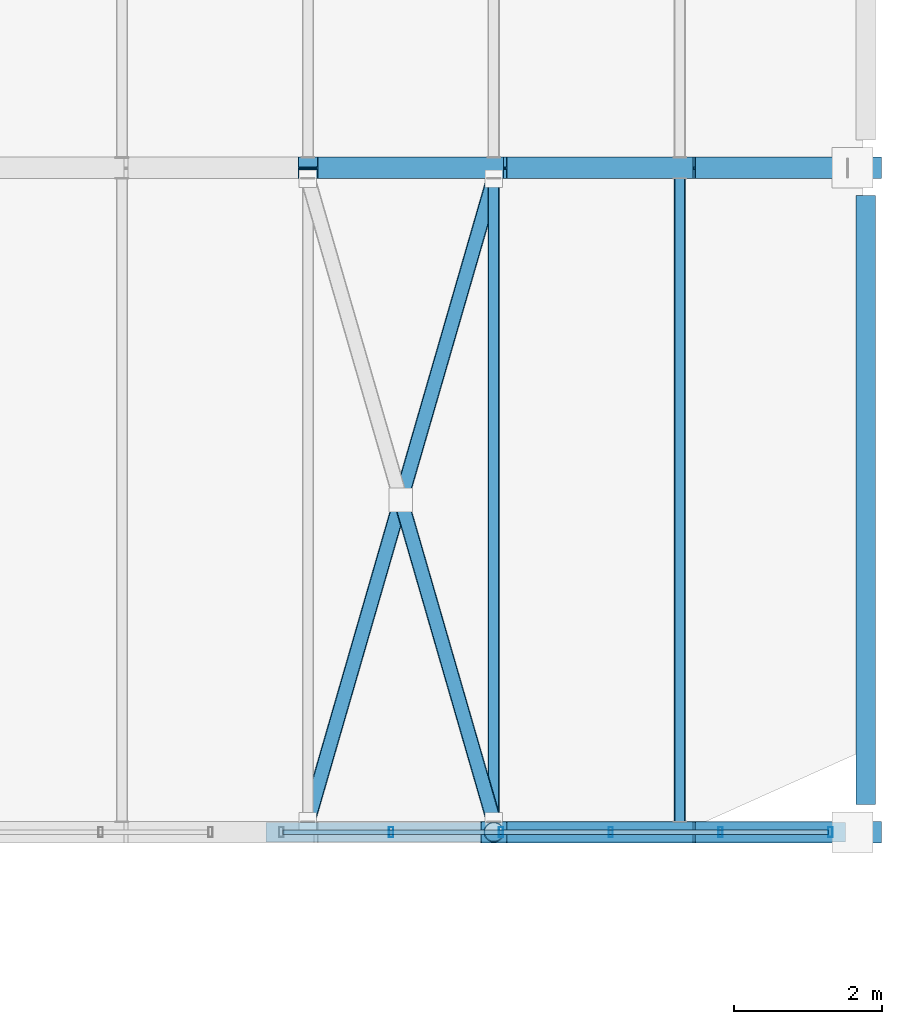
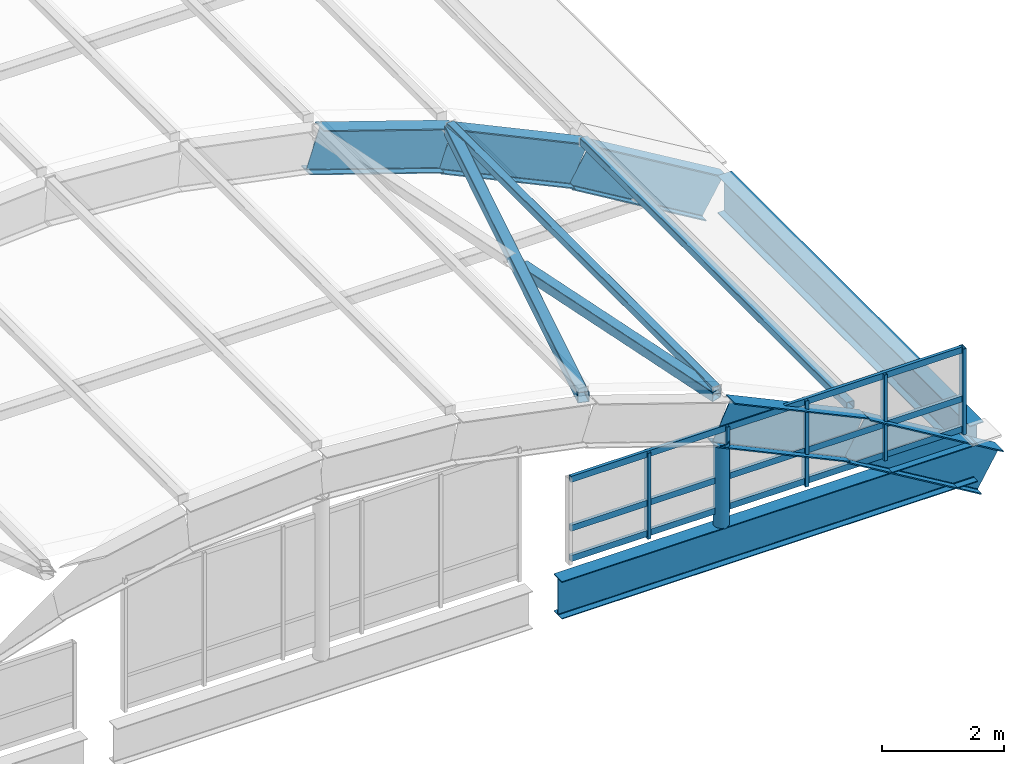
# One storey, part 67 of 107: 13 members, 7 beams, 1 element without a shape of its own.
"""IFC4 building model written with IfcOpenShell, lengths in metres."""

from ifc_helpers import new_model, si_unit, direction, frame, origin, origin_2d, place, context, subcontext, project, spatial, hollow_rectangle, hollow_circle, i_section, extrude, material, layer, layer_set, material_profile, profile_set, type_object, element, aggregate, save


model = new_model("IFC4")

# Units and contexts
model_context = context("Model", 3, precision=1e-05, world=origin(), true_north=direction((0.0, 1.0)))
body_context = subcontext(model_context, "Body", "Model", "MODEL_VIEW")
ifc_project = project(units=[si_unit("LENGTHUNIT", "METRE"), si_unit("AREAUNIT", "SQUARE_METRE"), si_unit("VOLUMEUNIT", "CUBIC_METRE"), si_unit("PLANEANGLEUNIT", "RADIAN"), si_unit("MASSUNIT", "GRAM", prefix="KILO")], contexts=[model_context])

# Site, building, storey
site_placement = place(None, origin())
site = spatial("IfcSite", under=ifc_project, at=site_placement, CompositionType="ELEMENT")
building_placement = place(site_placement, origin())
building = spatial("IfcBuilding", under=site, at=building_placement, Name="Vireocrest Preparatory School", CompositionType="ELEMENT")
storey_placement = place(building_placement, frame((0.0, 0.0, 13.199951171875)))
storey = spatial("IfcBuildingStorey", under=building, at=storey_placement, Name="L03", CompositionType="ELEMENT", Elevation=13.199951171875)

# Beams
ifc_material_1 = material(Name="Structural steel ASTM A992 Grade 50", Category="steel")
ifc_material_profile_1 = material_profile(ifc_material_1, i_section(OverallWidth=0.2919921875, OverallDepth=0.841064453125, WebThickness=0.0146484375, FlangeThickness=0.021728515625, FilletRadius=0.02001953125, at=origin_2d()), Name="W33X130")
ifc_profile_set_1 = profile_set([ifc_material_profile_1], Name="Structural steel ASTM A992 Grade 50")
beam_type_1 = type_object("IfcBeamType", Name="Assembly Hall Barrel Vault Arch Rib W33X130", PredefinedType="BEAM", material=ifc_profile_set_1)
beam_1_placement = place(storey_placement, frame((162.9599609375, 18.0, 1.827880859375), z_axis=(0.905574801812, 0.0, -0.424186607902), x_axis=(0.0, 1.0, 0.0)))
element("IfcBeam", 1, at=beam_1_placement, inside=storey, type_object=beam_type_1, Name="Assembly Hall Barrel Vault Roof Arch Rib 1 Seg 9", PredefinedType="BEAM", context=body_context, shape_type="SweptSolid", body=[
    extrude(i_section(OverallWidth=0.2919921875, OverallDepth=0.841064453125, WebThickness=0.0146484375, FlangeThickness=0.021728515625, FilletRadius=0.02001953125, at=origin_2d()), origin(), (0.0, 0.0, 1.0), 2.78271484375),
])
beam_2_placement = place(storey_placement, frame((165.47998046875, 18.0, 0.62109375), z_axis=(0.858599207137, 0.0, -0.512647443672), x_axis=(0.0, 1.0, 0.0)))
element("IfcBeam", 2, at=beam_2_placement, inside=storey, type_object=beam_type_1, Name="Assembly Hall Barrel Vault Roof Arch Rib 1 Seg 10", PredefinedType="BEAM", context=body_context, shape_type="SweptSolid", body=[
    extrude(i_section(OverallWidth=0.2919921875, OverallDepth=0.841064453125, WebThickness=0.0146484375, FlangeThickness=0.021728515625, FilletRadius=0.02001953125, at=origin_2d()), origin(), (0.0, 0.0, 1.0), 2.93505859375),
])
beam_3_placement = place(storey_placement, frame((160.43994140625, 27.0, 2.694580078125), z_axis=(0.947982995349, 0.0, -0.318320970924), x_axis=(0.0, 1.0, 0.0)))
element("IfcBeam", 3, at=beam_3_placement, inside=storey, type_object=beam_type_1, Name="Assembly Hall Barrel Vault Roof Arch Rib 2 Seg 8", PredefinedType="BEAM", context=body_context, shape_type="SweptSolid", body=[
    extrude(i_section(OverallWidth=0.2919921875, OverallDepth=0.841064453125, WebThickness=0.0146484375, FlangeThickness=0.021728515625, FilletRadius=0.02001953125, at=origin_2d()), origin(), (0.0, 0.0, 1.0), 2.658203125),
])
beam_4_placement = place(storey_placement, frame((162.9599609375, 27.0, 1.827880859375), z_axis=(0.905574801812, 0.0, -0.424186607902), x_axis=(0.0, 1.0, 0.0)))
element("IfcBeam", 4, at=beam_4_placement, inside=storey, type_object=beam_type_1, Name="Assembly Hall Barrel Vault Roof Arch Rib 2 Seg 9", PredefinedType="BEAM", context=body_context, shape_type="SweptSolid", body=[
    extrude(i_section(OverallWidth=0.2919921875, OverallDepth=0.841064453125, WebThickness=0.0146484375, FlangeThickness=0.021728515625, FilletRadius=0.02001953125, at=origin_2d()), origin(), (0.0, 0.0, 1.0), 2.78271484375),
])
beam_5_placement = place(storey_placement, frame((165.47998046875, 27.0, 0.62109375), z_axis=(0.858599207137, 0.0, -0.512647443672), x_axis=(0.0, 1.0, 0.0)))
element("IfcBeam", 5, at=beam_5_placement, inside=storey, type_object=beam_type_1, Name="Assembly Hall Barrel Vault Roof Arch Rib 2 Seg 10", PredefinedType="BEAM", context=body_context, shape_type="SweptSolid", body=[
    extrude(i_section(OverallWidth=0.2919921875, OverallDepth=0.841064453125, WebThickness=0.0146484375, FlangeThickness=0.021728515625, FilletRadius=0.02001953125, at=origin_2d()), origin(), (0.0, 0.0, 1.0), 2.93505859375),
])
ifc_material_profile_2 = material_profile(ifc_material_1, i_section(OverallWidth=0.264892578125, OverallDepth=0.7529296875, WebThickness=0.01318359375, FlangeThickness=0.01708984375, FilletRadius=0.01904296875, at=origin_2d()), Name="W30X99")
ifc_profile_set_2 = profile_set([ifc_material_profile_2], Name="Structural steel ASTM A992 Grade 50")
beam_type_2 = type_object("IfcBeamType", Name="Assembly Hall Vault Ring Beam W30X99", PredefinedType="BEAM", material=ifc_profile_set_2)
beam_6_placement = place(storey_placement, frame((168.0, 18.375, -0.596435546875), z_axis=(0.0, 1.0, 0.0), x_axis=(-1.0, 0.0, 0.0)))
element("IfcBeam", 6, at=beam_6_placement, inside=storey, type_object=beam_type_2, Name="Assembly Hall Barrel Vault Roof Ring Beam E 18.0-27.0", PredefinedType="BEAM", context=body_context, shape_type="SweptSolid", body=[
    extrude(i_section(OverallWidth=0.264892578125, OverallDepth=0.7529296875, WebThickness=0.01318359375, FlangeThickness=0.01708984375, FilletRadius=0.01904296875, at=origin_2d()), origin(), (0.0, 0.0, 1.0), 8.25),
])
beam_7_placement = place(storey_placement, frame((159.875, 18.0, -0.596435546875), z_axis=(1.0, 0.0, 0.0), x_axis=(0.0, 1.0, 0.0)))
element("IfcBeam", 7, at=beam_7_placement, inside=storey, type_object=beam_type_2, Name="Assembly Hall Barrel Vault Roof Gable Ring Beam S-3", PredefinedType="BEAM", context=body_context, shape_type="SweptSolid", body=[
    extrude(i_section(OverallWidth=0.264892578125, OverallDepth=0.7529296875, WebThickness=0.01318359375, FlangeThickness=0.01708984375, FilletRadius=0.01904296875, at=origin_2d()), origin(), (0.0, 0.0, 1.0), 7.85009765625),
])

# Members
ifc_material_2 = material(Name="Structural steel ASTM A500 Grade C", Category="steel")
ifc_material_profile_3 = material_profile(ifc_material_2, hollow_rectangle(XDim=0.15234375, YDim=0.15234375, WallThickness=0.0087890625, InnerFilletRadius=0.0087890625, OuterFilletRadius=0.017822265625, at=origin_2d()), Name="HSS6X6X3/8")
ifc_profile_set_3 = profile_set([ifc_material_profile_3], Name="Structural steel ASTM A500 Grade C")
member_type_1 = type_object("IfcMemberType", Name="Barrel Vault Steel Purlin HSS6X6X3/8", PredefinedType="PURLIN", material=ifc_profile_set_3)
for number, where, z_axis, x_axis, name in (
    (8, (162.9599609375, 18.14111328125, 2.355712890625), (0.0, 1.0, 0.0), (-1.0, 0.0, 0.0), "Assembly Hall Barrel Vault Roof Purlin 1-9"),
    (9, (165.47998046875, 18.14111328125, 1.175048828125), (0.0, 1.0, 0.0), (-1.0, 0.0, 0.0), "Assembly Hall Barrel Vault Roof Purlin 1-10"),
):
    element("IfcMember", number, at=place(storey_placement, frame(where, z_axis=z_axis, x_axis=x_axis)), inside=storey, type_object=member_type_1, Name=name, PredefinedType="PURLIN", context=body_context, shape_type="SweptSolid", body=[
        extrude(hollow_rectangle(XDim=0.15234375, YDim=0.15234375, WallThickness=0.0087890625, InnerFilletRadius=0.0087890625, OuterFilletRadius=0.017822265625, at=origin_2d()), origin(), (0.0, 0.0, 1.0), 8.7177734375),
    ])

# Curtain wall, members
ifc_material_3 = material(Name="Thermally broken aluminium EN AW-6063-T6", Category="aluminium")
ifc_layer = layer(ifc_material_3, 0.179931640625)
ifc_layer_set = layer_set([ifc_layer], Name="Thermally broken aluminium EN AW-6063-T6")
curtain_wall_type = type_object("IfcCurtainWallType", Name="Vault Gable Clerestory 8400x2600", PredefinedType="USERDEFINED", material=ifc_layer_set)
curtain_wall_placement = place(storey_placement, origin())
curtain_wall = element("IfcCurtainWall", 10, at=curtain_wall_placement, inside=storey, type_object=curtain_wall_type, Name="Curtain Wall CW13 CW_L03_CW13_1600_0180_132", ObjectType="CURTAIN WALL", PredefinedType="USERDEFINED")
ifc_material_profile_4 = material_profile(ifc_material_3, hollow_rectangle(XDim=0.06005859375, YDim=0.135009765625, WallThickness=0.00390625, at=origin_2d()), Name="ALU 60x135x4")
ifc_profile_set_4 = profile_set([ifc_material_profile_4], Name="Thermally broken aluminium EN AW-6063-T6")
member_type_2 = type_object("IfcMemberType", Name="CW Clerestory Mullion 60x135x4", PredefinedType="MULLION", material=ifc_profile_set_4)
member_1_placement = place(storey_placement, frame((161.568115234375, 18.0, 0.0), z_axis=(0.0, 0.0, 1.0), x_axis=(1.0, 0.0, 0.0)))
member_1 = element("IfcMember", 11, at=member_1_placement, type_object=member_type_2, Name="CW Mullion ML6 CW_L03_CW13_1600_0180_132-2", PredefinedType="MULLION", context=body_context, shape_type="SweptSolid", body=[
    extrude(hollow_rectangle(XDim=0.06005859375, YDim=0.135009765625, WallThickness=0.00390625, at=origin_2d()), origin(), (0.0, 0.0, 1.0), 1.715087890625),
])
member_2_placement = place(storey_placement, frame((163.055908203125, 18.0, 0.0), z_axis=(0.0, 0.0, 1.0), x_axis=(1.0, 0.0, 0.0)))
member_2 = element("IfcMember", 12, at=member_2_placement, type_object=member_type_2, Name="CW Mullion ML6 CW_L03_CW13_1600_0180_132-3", PredefinedType="MULLION", context=body_context, shape_type="SweptSolid", body=[
    extrude(hollow_rectangle(XDim=0.06005859375, YDim=0.135009765625, WallThickness=0.00390625, at=origin_2d()), origin(), (0.0, 0.0, 1.0), 1.715087890625),
])
member_3_placement = place(storey_placement, frame((164.5439453125, 18.0, 0.0), z_axis=(0.0, 0.0, 1.0), x_axis=(1.0, 0.0, 0.0)))
member_3 = element("IfcMember", 13, at=member_3_placement, type_object=member_type_2, Name="CW Mullion ML6 CW_L03_CW13_1600_0180_132-4", PredefinedType="MULLION", context=body_context, shape_type="SweptSolid", body=[
    extrude(hollow_rectangle(XDim=0.06005859375, YDim=0.135009765625, WallThickness=0.00390625, at=origin_2d()), origin(), (0.0, 0.0, 1.0), 1.715087890625),
])
member_4_placement = place(storey_placement, frame((166.031982421875, 18.0, 0.0), z_axis=(0.0, 0.0, 1.0), x_axis=(1.0, 0.0, 0.0)))
member_4 = element("IfcMember", 14, at=member_4_placement, type_object=member_type_2, Name="CW Mullion ML6 CW_L03_CW13_1600_0180_132-5", PredefinedType="MULLION", context=body_context, shape_type="SweptSolid", body=[
    extrude(hollow_rectangle(XDim=0.06005859375, YDim=0.135009765625, WallThickness=0.00390625, at=origin_2d()), origin(), (0.0, 0.0, 1.0), 1.715087890625),
])
member_5_placement = place(storey_placement, frame((167.52001953125, 18.0, 0.0), z_axis=(0.0, 0.0, 1.0), x_axis=(1.0, 0.0, 0.0)))
member_5 = element("IfcMember", 15, at=member_5_placement, type_object=member_type_2, Name="CW Mullion ML6 CW_L03_CW13_1600_0180_132-6", PredefinedType="MULLION", context=body_context, shape_type="SweptSolid", body=[
    extrude(hollow_rectangle(XDim=0.06005859375, YDim=0.135009765625, WallThickness=0.00390625, at=origin_2d()), origin(), (0.0, 0.0, 1.0), 1.715087890625),
])
ifc_material_profile_5 = material_profile(ifc_material_3, hollow_rectangle(XDim=0.06005859375, YDim=0.125, WallThickness=0.00390625, at=origin_2d()), Name="ALU 60x125x4")
ifc_profile_set_5 = profile_set([ifc_material_profile_5], Name="Thermally broken aluminium EN AW-6063-T6")
member_type_3 = type_object("IfcMemberType", Name="CW Clerestory Transom 60x125x4", PredefinedType="USERDEFINED", material=ifc_profile_set_5)
member_6_placement = place(storey_placement, frame((160.10498046875, 18.0, 0.094970703125), z_axis=(1.0, 0.0, 0.0), x_axis=(0.0, 1.0, 0.0)))
member_6 = element("IfcMember", 16, at=member_6_placement, type_object=member_type_3, Name="CW Transom TR6 CW_L03_CW13_1600_0180_132-1", ObjectType="TRANSOM", PredefinedType="USERDEFINED", context=body_context, shape_type="SweptSolid", body=[
    extrude(hollow_rectangle(XDim=0.06005859375, YDim=0.125, WallThickness=0.00390625, at=origin_2d()), origin(), (0.0, 0.0, 1.0), 7.39013671875),
])
member_7_placement = place(storey_placement, frame((160.10498046875, 18.0, 0.699951171875), z_axis=(1.0, 0.0, 0.0), x_axis=(0.0, 1.0, 0.0)))
member_7 = element("IfcMember", 17, at=member_7_placement, type_object=member_type_3, Name="CW Transom TR6 CW_L03_CW13_1600_0180_132-2", ObjectType="TRANSOM", PredefinedType="USERDEFINED", context=body_context, shape_type="SweptSolid", body=[
    extrude(hollow_rectangle(XDim=0.06005859375, YDim=0.125, WallThickness=0.00390625, at=origin_2d()), origin(), (0.0, 0.0, 1.0), 7.39013671875),
])
member_8_placement = place(storey_placement, frame((160.10498046875, 18.0, 1.675048828125), z_axis=(1.0, 0.0, 0.0), x_axis=(0.0, 1.0, 0.0)))
member_8 = element("IfcMember", 18, at=member_8_placement, type_object=member_type_3, Name="CW Transom TR6 CW_L03_CW13_1600_0180_132-3", ObjectType="TRANSOM", PredefinedType="USERDEFINED", context=body_context, shape_type="SweptSolid", body=[
    extrude(hollow_rectangle(XDim=0.06005859375, YDim=0.125, WallThickness=0.00390625, at=origin_2d()), origin(), (0.0, 0.0, 1.0), 7.39013671875),
])
aggregate(curtain_wall, [member_1, member_2, member_3, member_4, member_5, member_6, member_7, member_8])

# Members
ifc_material_profile_6 = material_profile(ifc_material_2, hollow_rectangle(XDim=0.203125, YDim=0.203125, WallThickness=0.0087890625, InnerFilletRadius=0.0087890625, OuterFilletRadius=0.017822265625, at=origin_2d()), Name="HSS8X8X3/8")
ifc_profile_set_6 = profile_set([ifc_material_profile_6], Name="Structural steel ASTM A500 Grade C")
member_type_4 = type_object("IfcMemberType", Name="Vault Roof Wind X-Brace HSS8X8X3/8", PredefinedType="BRACE", material=ifc_profile_set_6)
member_9_placement = place(storey_placement, frame((160.43994140625, 18.14599609375, 3.09716796875), z_axis=(0.276809759635, 0.956524947363, -0.091849779767), x_axis=(-0.960585462489, 0.277984836375, 0.0)))
element("IfcMember", 19, at=member_9_placement, inside=storey, type_object=member_type_4, Name="Assembly Hall Barrel Vault Roof Roof Wind Brace 1-8", PredefinedType="BRACE", context=body_context, shape_type="SweptSolid", body=[
    extrude(hollow_rectangle(XDim=0.203125, YDim=0.203125, WallThickness=0.0087890625, InnerFilletRadius=0.0087890625, OuterFilletRadius=0.017822265625, at=origin_2d()), origin(), (0.0, 0.0, 1.0), 9.103759765625),
])
member_10_placement = place(storey_placement, frame((161.736083984375, 22.375732421875, 2.667236328125), z_axis=(0.276773546762, -0.956533352811, -0.091871370798), x_axis=(0.960595825043, 0.27794902574, 0.0)))
element("IfcMember", 20, at=member_10_placement, inside=storey, type_object=member_type_4, Name="Assembly Hall Barrel Vault Roof Split Roof X-Brace 1-8-2", PredefinedType="BRACE", context=body_context, shape_type="SweptSolid", body=[
    extrude(hollow_rectangle(XDim=0.203125, YDim=0.203125, WallThickness=0.0087890625, InnerFilletRadius=0.0087890625, OuterFilletRadius=0.017822265625, at=origin_2d()), origin(), (0.0, 0.0, 1.0), 4.421875),
])
ifc_material_4 = material(Name="Painted white steel ASTM A500 Grade C", Category="steel")
ifc_material_profile_7 = material_profile(ifc_material_4, hollow_circle(Radius=0.136474609375, WallThickness=0.0126953125, at=origin_2d()), Name="HSS10.750X0.500")
ifc_profile_set_7 = profile_set([ifc_material_profile_7], Name="Painted white steel ASTM A500 Grade C")
member_type_5 = type_object("IfcMemberType", Name="White Steel Clerestory Strut HSS10.750X0.500", PredefinedType="USERDEFINED", material=ifc_profile_set_7)
member_11_placement = place(storey_placement, frame((162.9599609375, 18.0, -0.239990234375), z_axis=(0.0, 0.0, 1.0), x_axis=(1.0, 0.0, 0.0)))
element("IfcMember", 21, at=member_11_placement, inside=storey, type_object=member_type_5, Name="Assembly Hall Barrel Vault Roof Gable Mullion Post 1-8", ObjectType="STRUT", PredefinedType="USERDEFINED", context=body_context, shape_type="SweptSolid", body=[
    extrude(hollow_circle(Radius=0.136474609375, WallThickness=0.0126953125, at=origin_2d()), origin(), (0.0, 0.0, 1.0), 1.667236328125),
])

save(model, "model.ifc")
